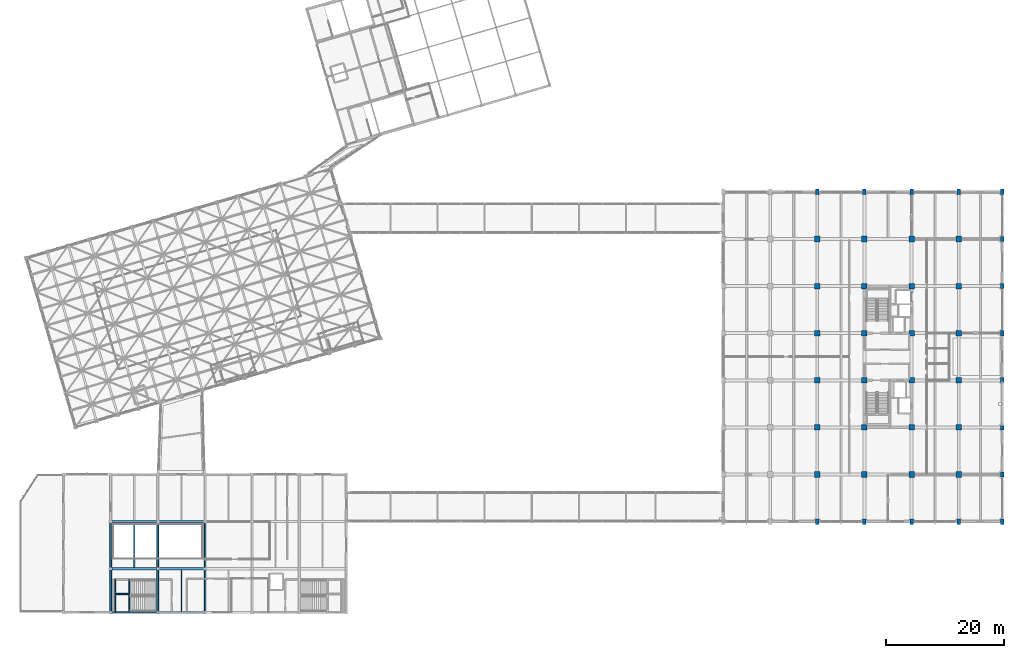
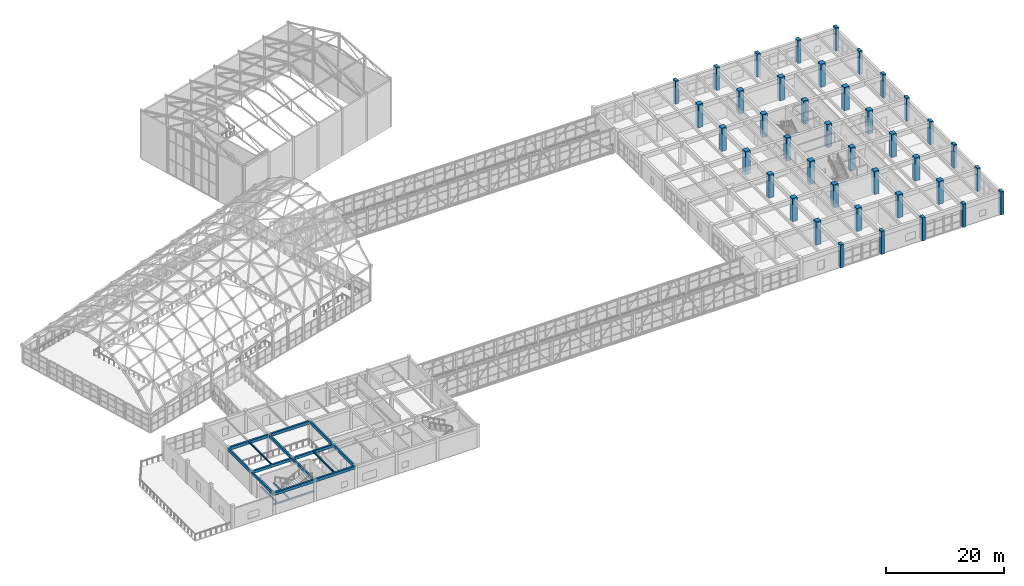
# One storey, part 16 of 248: 40 columns, 18 beams.
"""IFC4 building model written with IfcOpenShell, lengths in metres."""

import ifcopenshell
import ifcopenshell.guid

model = None  # the IFC model being written
_history = None  # IfcOwnerHistory: only IFC2X3 demands one
_inside = {}  # id of a spatial element -> (the spatial element, [elements in it])
_under = {}  # id of a project, library or spatial element -> (it, [spatial elements below it])
_declared = {}  # id of a project -> (the project, [libraries it declares])
_typed = {}  # id of a type object -> (the type object, [elements of that type])
_made_of = {}  # id of a material, layer set ... -> (it, [elements and type objects made of it])


def new_model(schema):
    """Start an empty IFC model of exactly this schema.

    Asked for "IFC4X3", IfcOpenShell would pick the latest addendum, in which some entities
    have other attributes; the version numbers below select the first issue.
    IFC2X3 requires an IfcOwnerHistory on every rooted entity: one is made here for all.
    """
    global model, _history
    if schema == "IFC4X3":
        model = ifcopenshell.file(schema_version=(4, 3, 0, 0))
    else:
        model = ifcopenshell.file(schema=schema)
    _inside.clear()
    _under.clear()
    _declared.clear()
    _typed.clear()
    _made_of.clear()
    _history = None
    if model.schema == "IFC2X3":
        org = make("IfcOrganization", Name="unknown")
        user = make(
            "IfcPersonAndOrganization",
            ThePerson=make("IfcPerson", FamilyName="unknown"),
            TheOrganization=org,
        )
        app = make(
            "IfcApplication",
            ApplicationDeveloper=org,
            Version="unknown",
            ApplicationFullName="unknown",
            ApplicationIdentifier="unknown",
        )
        _history = make(
            "IfcOwnerHistory",
            OwningUser=user,
            OwningApplication=app,
            ChangeAction="ADDED",
            CreationDate=0,
        )
    return model


def make(cls, **values):
    """One entity of the class cls with the attributes given. An attribute that is None is left unset."""
    return model.create_entity(
        cls, **{name: value for name, value in values.items() if value is not None}
    )


def rooted(cls, **values):
    """An entity with a GlobalId (a new one), such as an element, a storey or a relation."""
    return make(cls, GlobalId=ifcopenshell.guid.new(), OwnerHistory=_history, **values)


def si_unit(unit_type, name, prefix=None):
    """IfcSIUnit, for example si_unit("LENGTHUNIT", "METRE", prefix="MILLI")."""
    return make("IfcSIUnit", UnitType=unit_type, Prefix=prefix, Name=name)


def assignment(units):
    """IfcUnitAssignment: the units of a project."""
    return None if units is None else make("IfcUnitAssignment", Units=units)


def point(xyz):
    """IfcCartesianPoint."""
    return None if xyz is None else make("IfcCartesianPoint", Coordinates=xyz)


def direction(xyz):
    """IfcDirection."""
    return None if xyz is None else make("IfcDirection", DirectionRatios=xyz)


def frame(location, z_axis=None, x_axis=None):
    """IfcAxis2Placement3D, a coordinate frame: its origin and axes. An axis left out is left unset."""
    return make(
        "IfcAxis2Placement3D",
        Location=point(location),
        Axis=direction(z_axis),
        RefDirection=direction(x_axis),
    )


def frame_2d(location, x_axis=None):
    """IfcAxis2Placement2D, a coordinate frame in the plane: its origin and x axis."""
    return make(
        "IfcAxis2Placement2D", Location=point(location), RefDirection=direction(x_axis)
    )


def origin():
    """The frame at (0, 0, 0) with its axes left unset."""
    return frame((0.0, 0.0, 0.0))


def origin_2d():
    """The frame at (0, 0) in the plane with its x axis left unset."""
    return frame_2d((0.0, 0.0))


def place(relative_to, where):
    """IfcLocalPlacement: puts the frame where relative to a parent placement (None: the world)."""
    return make(
        "IfcLocalPlacement", PlacementRelTo=relative_to, RelativePlacement=where
    )


def context(
    kind, dimensions, precision=None, world=None, true_north=None, identifier=None
):
    """IfcGeometricRepresentationContext, for example the 3D "Model" context."""
    return make(
        "IfcGeometricRepresentationContext",
        ContextIdentifier=identifier,
        ContextType=kind,
        CoordinateSpaceDimension=dimensions,
        Precision=precision,
        WorldCoordinateSystem=world,
        TrueNorth=true_north,
    )


def subcontext(parent, identifier, kind, view, scale=None):
    """IfcGeometricRepresentationSubContext, for example "Body" below "Model"."""
    return make(
        "IfcGeometricRepresentationSubContext",
        ContextIdentifier=identifier,
        ContextType=kind,
        ParentContext=parent,
        TargetScale=scale,
        TargetView=view,
    )


def project(units=None, contexts=None):
    """IfcProject with its units and contexts."""
    return rooted(
        "IfcProject",
        Name="project",
        RepresentationContexts=contexts,
        UnitsInContext=assignment(units),
    )


def spatial(cls, under=None, at=None, **own):
    """A site, building, storey or space (cls), placed at a placement, below another one or the project."""
    s = rooted(cls, ObjectPlacement=at, **own)
    if under is not None:
        _under.setdefault(under.id(), (under, []))[1].append(s)
    return s


def profile(cls, at=None, kind="AREA", **sizes):
    """A parametric profile (cls). Its sizes go by their IFC names, for example OverallWidth=200.0."""
    return make(cls, ProfileType=kind, Position=at, **sizes)


def rectangle(**sizes):
    """IfcRectangleProfileDef."""
    return profile("IfcRectangleProfileDef", **sizes)


def i_section(**sizes):
    """IfcIShapeProfileDef."""
    return profile("IfcIShapeProfileDef", **sizes)


def extrude(swept, where, along, depth):
    """IfcExtrudedAreaSolid: the profile swept, set in the frame where, extruded along a direction by depth."""
    return make(
        "IfcExtrudedAreaSolid",
        SweptArea=swept,
        Position=where,
        ExtrudedDirection=direction(along),
        Depth=depth,
    )


def shape(context_of_items, identifier, shape_type, items):
    """IfcShapeRepresentation: the items that make up one representation, for example the "Body"."""
    return make(
        "IfcShapeRepresentation",
        ContextOfItems=context_of_items,
        RepresentationIdentifier=identifier,
        RepresentationType=shape_type,
        Items=items,
    )


def material(Name=None, Category=None):
    """IfcMaterial."""
    return make("IfcMaterial", Name=Name, Category=Category)


def material_profile(
    of_material, cross_section, Name=None, Category=None, Priority=None
):
    """IfcMaterialProfile: a cross section and its material."""
    return make(
        "IfcMaterialProfile",
        Name=Name,
        Material=of_material,
        Profile=cross_section,
        Priority=Priority,
        Category=Category,
    )


def profile_set(profiles, Name=None, composite=None):
    """IfcMaterialProfileSet."""
    return make(
        "IfcMaterialProfileSet",
        Name=Name,
        MaterialProfiles=profiles,
        CompositeProfile=composite,
    )


def made_of(thing, what):
    """Note that an element or type object is made of a material, layer set ...; save() writes the relation."""
    if what is not None:
        _made_of.setdefault(what.id(), (what, []))[1].append(thing)
    return thing


def type_object(cls, material=None, **own):
    """A type object (cls), such as IfcWallType, which elements share."""
    return made_of(rooted(cls, **own), material)


def element(
    cls,
    number,
    at=None,
    inside=None,
    cuts=None,
    type_object=None,
    material=None,
    context=None,
    identifier="Body",
    shape_type=None,
    held_by="IfcProductDefinitionShape",
    body=None,
    shapes=None,
    **own,
):
    """One element of the class cls, such as IfcWall. Its Tag is "e" and its number.

    at: its placement. inside: the storey or other place that contains it. cuts: it is an
    opening in that element (IfcRelVoidsElement). A single representation is given by context,
    identifier, shape_type and body (its items); several are given by shapes. held_by: the class
    of the entity that holds the representations. save() writes the other relations.
    """
    e = rooted(cls, Tag="e%d" % number, ObjectPlacement=at, **own)
    if body is not None:
        shapes = [shape(context, identifier, shape_type, body)]
    if shapes is not None:
        e.Representation = make(held_by, Representations=shapes)
    if inside is not None:
        _inside.setdefault(inside.id(), (inside, []))[1].append(e)
    if cuts is not None:
        rooted(
            "IfcRelVoidsElement", RelatingBuildingElement=cuts, RelatedOpeningElement=e
        )
    if type_object is not None:
        _typed.setdefault(type_object.id(), (type_object, []))[1].append(e)
    return made_of(e, material)


def aggregate(whole, parts):
    """IfcRelAggregates: a whole, such as a stair, and the parts it consists of."""
    return rooted("IfcRelAggregates", RelatingObject=whole, RelatedObjects=parts)


def save(model, path):
    """Write the relations noted so far, then the file.

    IfcRelAggregates (storeys below a building ...), IfcRelContainedInSpatialStructure (elements
    in a storey), IfcRelDefinesByType, IfcRelAssociatesMaterial and IfcRelDeclares: one each for
    every whole, place, type object, material and project.
    """
    for whole, parts in _under.values():
        aggregate(whole, parts)
    for where, things in _inside.values():
        rooted(
            "IfcRelContainedInSpatialStructure",
            RelatedElements=things,
            RelatingStructure=where,
        )
    for kind, things in _typed.values():
        rooted("IfcRelDefinesByType", RelatedObjects=things, RelatingType=kind)
    for what, things in _made_of.values():
        rooted("IfcRelAssociatesMaterial", RelatedObjects=things, RelatingMaterial=what)
    for by, libraries in _declared.values():
        rooted("IfcRelDeclares", RelatingContext=by, RelatedDefinitions=libraries)
    model.write(path)


model = new_model("IFC4")

# Units and contexts
model_context = context("Model", 3, precision=1e-05, world=origin(), true_north=direction((0.0, 1.0)))
body_context = subcontext(model_context, "Body", "Model", "MODEL_VIEW")
ifc_project = project(units=[si_unit("LENGTHUNIT", "METRE"), si_unit("AREAUNIT", "SQUARE_METRE"), si_unit("VOLUMEUNIT", "CUBIC_METRE"), si_unit("PLANEANGLEUNIT", "RADIAN"), si_unit("MASSUNIT", "GRAM", prefix="KILO")], contexts=[model_context])

# Site, building, storey
site_placement = place(None, origin())
site = spatial("IfcSite", under=ifc_project, at=site_placement, CompositionType="ELEMENT")
building_placement = place(site_placement, origin())
building = spatial("IfcBuilding", under=site, at=building_placement, Name="Canggui Botanical Conservatory", CompositionType="ELEMENT")
storey_placement = place(building_placement, frame((0.0, 0.0, 5.39990234375)))
storey = spatial("IfcBuildingStorey", under=building, at=storey_placement, Name="L02", CompositionType="ELEMENT", Elevation=5.39990234375)

# Columns
ifc_material_1 = material(Name="Concrete C50", Category="concrete")
ifc_material_profile_1 = material_profile(ifc_material_1, rectangle(XDim=0.949951171875, YDim=0.949951171875, at=origin_2d()), Name="RC 950x950")
ifc_profile_set_1 = profile_set([ifc_material_profile_1], Name="Concrete C50")
column_type_1 = type_object("IfcColumnType", Name="COL-KZ04", PredefinedType="COLUMN", material=ifc_profile_set_1)
for number, where, z_axis, x_axis, name in (
    (1, (146.0, 34.0, 0.0), (0.0, 0.0, 1.0), (1.0, 0.0, 0.0), "Tower RC Column L02 (146,34)"),
    (2, (146.0, 42.0, 0.0), (0.0, 0.0, 1.0), (1.0, 0.0, 0.0), "Tower RC Column L02 (146,42)"),
    (3, (146.0, 50.0, 0.0), (0.0, 0.0, 1.0), (1.0, 0.0, 0.0), "Tower RC Column L02 (146,50)"),
    (4, (146.0, 58.0, 0.0), (0.0, 0.0, 1.0), (1.0, 0.0, 0.0), "Tower RC Column L02 (146,58)"),
    (5, (146.0, 66.0, 0.0), (0.0, 0.0, 1.0), (1.0, 0.0, 0.0), "Tower RC Column L02 (146,66)"),
    (6, (146.0, 74.0, 0.0), (0.0, 0.0, 1.0), (1.0, 0.0, 0.0), "Tower RC Column L02 (146,74)"),
    (7, (154.0, 34.0, 0.0), (0.0, 0.0, 1.0), (1.0, 0.0, 0.0), "Tower RC Column L02 (154,34)"),
    (8, (154.0, 42.0, 0.0), (0.0, 0.0, 1.0), (1.0, 0.0, 0.0), "Tower RC Column L02 (154,42)"),
    (9, (154.0, 50.0, 0.0), (0.0, 0.0, 1.0), (1.0, 0.0, 0.0), "Tower RC Column L02 (154,50)"),
    (10, (154.0, 58.0, 0.0), (0.0, 0.0, 1.0), (1.0, 0.0, 0.0), "Tower RC Column L02 (154,58)"),
    (11, (154.0, 66.0, 0.0), (0.0, 0.0, 1.0), (1.0, 0.0, 0.0), "Tower RC Column L02 (154,66)"),
    (12, (154.0, 74.0, 0.0), (0.0, 0.0, 1.0), (1.0, 0.0, 0.0), "Tower RC Column L02 (154,74)"),
    (13, (162.0, 34.0, 0.0), (0.0, 0.0, 1.0), (1.0, 0.0, 0.0), "Tower RC Column L02 (162,34)"),
    (14, (162.0, 42.0, 0.0), (0.0, 0.0, 1.0), (1.0, 0.0, 0.0), "Tower RC Column L02 (162,42)"),
    (15, (162.0, 50.0, 0.0), (0.0, 0.0, 1.0), (1.0, 0.0, 0.0), "Tower RC Column L02 (162,50)"),
    (16, (162.0, 58.0, 0.0), (0.0, 0.0, 1.0), (1.0, 0.0, 0.0), "Tower RC Column L02 (162,58)"),
    (17, (162.0, 66.0, 0.0), (0.0, 0.0, 1.0), (1.0, 0.0, 0.0), "Tower RC Column L02 (162,66)"),
    (18, (162.0, 74.0, 0.0), (0.0, 0.0, 1.0), (1.0, 0.0, 0.0), "Tower RC Column L02 (162,74)"),
    (19, (170.0, 34.0, 0.0), (0.0, 0.0, 1.0), (1.0, 0.0, 0.0), "Tower RC Column L02 (170,34)"),
    (20, (170.0, 42.0, 0.0), (0.0, 0.0, 1.0), (1.0, 0.0, 0.0), "Tower RC Column L02 (170,42)"),
    (21, (170.0, 50.0, 0.0), (0.0, 0.0, 1.0), (1.0, 0.0, 0.0), "Tower RC Column L02 (170,50)"),
    (22, (170.0, 58.0, 0.0), (0.0, 0.0, 1.0), (1.0, 0.0, 0.0), "Tower RC Column L02 (170,58)"),
    (23, (170.0, 66.0, 0.0), (0.0, 0.0, 1.0), (1.0, 0.0, 0.0), "Tower RC Column L02 (170,66)"),
    (24, (170.0, 74.0, 0.0), (0.0, 0.0, 1.0), (1.0, 0.0, 0.0), "Tower RC Column L02 (170,74)"),
):
    element("IfcColumn", number, at=place(storey_placement, frame(where, z_axis=z_axis, x_axis=x_axis)), inside=storey, type_object=column_type_1, Name=name, PredefinedType="COLUMN", context=body_context, shape_type="SweptSolid", body=[
        extrude(rectangle(XDim=0.949951171875, YDim=0.949951171875, at=origin_2d()), origin(), (0.0, 0.0, 1.0), 4.800048828125),
    ])
ifc_material_profile_2 = material_profile(ifc_material_1, rectangle(XDim=0.60009765625, YDim=0.89990234375, at=origin_2d()), Name="RC 600x900")
ifc_profile_set_2 = profile_set([ifc_material_profile_2], Name="Concrete C50")
column_type_2 = type_object("IfcColumnType", Name="COL-KZ17", PredefinedType="COLUMN", material=ifc_profile_set_2)
for number, where, z_axis, x_axis, name in (
    (25, (146.0, 26.0, 0.0), (0.0, 0.0, 1.0), (1.0, 0.0, 0.0), "Tower RC Column L02 (146,26)"),
    (26, (146.0, 82.0, 0.0), (0.0, 0.0, 1.0), (1.0, 0.0, 0.0), "Tower RC Column L02 (146,82)"),
    (27, (154.0, 26.0, 0.0), (0.0, 0.0, 1.0), (1.0, 0.0, 0.0), "Tower RC Column L02 (154,26)"),
    (28, (154.0, 82.0, 0.0), (0.0, 0.0, 1.0), (1.0, 0.0, 0.0), "Tower RC Column L02 (154,82)"),
    (29, (162.0, 26.0, 0.0), (0.0, 0.0, 1.0), (1.0, 0.0, 0.0), "Tower RC Column L02 (162,26)"),
    (30, (162.0, 82.0, 0.0), (0.0, 0.0, 1.0), (1.0, 0.0, 0.0), "Tower RC Column L02 (162,82)"),
    (31, (170.0, 26.0, 0.0), (0.0, 0.0, 1.0), (1.0, 0.0, 0.0), "Tower RC Column L02 (170,26)"),
    (32, (170.0, 82.0, 0.0), (0.0, 0.0, 1.0), (1.0, 0.0, 0.0), "Tower RC Column L02 (170,82)"),
    (33, (177.39990234375, 26.0, 0.0), (0.0, 0.0, 1.0), (1.0, 0.0, 0.0), "Tower RC Column L02 (178,26)"),
    (34, (177.39990234375, 34.0, 0.0), (0.0, 0.0, 1.0), (1.0, 0.0, 0.0), "Tower RC Column L02 (178,34)"),
    (35, (177.39990234375, 42.0, 0.0), (0.0, 0.0, 1.0), (1.0, 0.0, 0.0), "Tower RC Column L02 (178,42)"),
    (36, (177.39990234375, 50.0, 0.0), (0.0, 0.0, 1.0), (1.0, 0.0, 0.0), "Tower RC Column L02 (178,50)"),
    (37, (177.39990234375, 58.0, 0.0), (0.0, 0.0, 1.0), (1.0, 0.0, 0.0), "Tower RC Column L02 (178,58)"),
    (38, (177.39990234375, 66.0, 0.0), (0.0, 0.0, 1.0), (1.0, 0.0, 0.0), "Tower RC Column L02 (178,66)"),
    (39, (177.39990234375, 74.0, 0.0), (0.0, 0.0, 1.0), (1.0, 0.0, 0.0), "Tower RC Column L02 (178,74)"),
    (40, (177.39990234375, 82.0, 0.0), (0.0, 0.0, 1.0), (1.0, 0.0, 0.0), "Tower RC Column L02 (178,82)"),
):
    element("IfcColumn", number, at=place(storey_placement, frame(where, z_axis=z_axis, x_axis=x_axis)), inside=storey, type_object=column_type_2, Name=name, PredefinedType="COLUMN", context=body_context, shape_type="SweptSolid", body=[
        extrude(rectangle(XDim=0.60009765625, YDim=0.89990234375, at=origin_2d()), origin(), (0.0, 0.0, 1.0), 4.800048828125),
    ])

# Beams
ifc_material_2 = material(Name="Steel Q355B", Category="steel")
ifc_material_profile_3 = material_profile(ifc_material_2, i_section(OverallWidth=0.175048828125, OverallDepth=0.35009765625, WebThickness=0.007080078125, FlangeThickness=0.010986328125, FilletRadius=0.013916015625, at=origin_2d()), Name="HN 350x175x7x11")
ifc_profile_set_3 = profile_set([ifc_material_profile_3], Name="Steel Q355B")
beam_type_1 = type_object("IfcBeamType", Name="BM-JST07", PredefinedType="JOIST", material=ifc_profile_set_3)
beam_1_placement = place(storey_placement, frame((30.0, 18.179931640625, 4.385009765625), z_axis=(0.0, 1.0, 0.0), x_axis=(-1.0, 0.0, 0.0)))
element("IfcBeam", 41, at=beam_1_placement, inside=storey, type_object=beam_type_1, Name="Visitor Composite Steel Joist L02-1-2", PredefinedType="JOIST", context=body_context, shape_type="SweptSolid", body=[
    extrude(i_section(OverallWidth=0.175048828125, OverallDepth=0.35009765625, WebThickness=0.007080078125, FlangeThickness=0.010986328125, FilletRadius=0.013916015625, at=origin_2d()), origin(), (0.0, 0.0, 1.0), 7.64013671875),
])
beam_2_placement = place(storey_placement, frame((38.0, 10.780029296875, 4.385009765625), z_axis=(0.0, 1.0, 0.0), x_axis=(-1.0, 0.0, 0.0)))
element("IfcBeam", 42, at=beam_2_placement, inside=storey, type_object=beam_type_1, Name="Visitor Composite Steel Joist L02-2-1", PredefinedType="JOIST", context=body_context, shape_type="SweptSolid", body=[
    extrude(i_section(OverallWidth=0.175048828125, OverallDepth=0.35009765625, WebThickness=0.007080078125, FlangeThickness=0.010986328125, FilletRadius=0.013916015625, at=origin_2d()), origin(), (0.0, 0.0, 1.0), 7.0400390625),
])
ifc_material_3 = material(Name="Concrete C35", Category="concrete")
ifc_material_profile_4 = material_profile(ifc_material_3, rectangle(XDim=0.35009765625, YDim=0.60009765625, at=origin_2d()), Name="RB 350x600")
ifc_profile_set_4 = profile_set([ifc_material_profile_4], Name="Concrete C35")
beam_type_2 = type_object("IfcBeamType", Name="BM-KL19", PredefinedType="BEAM", material=ifc_profile_set_4)
for number, where, z_axis, x_axis, name in (
    (43, (26.0, 10.60009765625, 4.260009765625), (1.0, 0.0, 0.0), (0.0, 1.0, 0.0), "Visitor Girder L02 Y10-1"),
    (44, (34.0, 10.60009765625, 4.260009765625), (1.0, 0.0, 0.0), (0.0, 1.0, 0.0), "Visitor Girder L02 Y10-2"),
    (45, (26.0, 18.0, 4.260009765625), (1.0, 0.0, 0.0), (0.0, 1.0, 0.0), "Visitor Girder L02 Y18-1"),
    (46, (34.0, 18.0, 4.260009765625), (1.0, 0.0, 0.0), (0.0, 1.0, 0.0), "Visitor Girder L02 Y18-2"),
    (47, (26.0, 26.0, 4.260009765625), (1.0, 0.0, 0.0), (0.0, 1.0, 0.0), "Visitor Girder L02 Y26-1"),
    (48, (34.0, 26.0, 4.260009765625), (1.0, 0.0, 0.0), (0.0, 1.0, 0.0), "Visitor Girder L02 Y26-2"),
):
    element("IfcBeam", number, at=place(storey_placement, frame(where, z_axis=z_axis, x_axis=x_axis)), inside=storey, type_object=beam_type_2, Name=name, PredefinedType="BEAM", context=body_context, shape_type="SweptSolid", body=[
        extrude(rectangle(XDim=0.35009765625, YDim=0.60009765625, at=origin_2d()), origin(), (0.0, 0.0, 1.0), 8.0),
    ])
ifc_material_profile_5 = material_profile(ifc_material_3, rectangle(XDim=0.300048828125, YDim=0.60009765625, at=origin_2d()), Name="RB 300x600")
ifc_profile_set_5 = profile_set([ifc_material_profile_5], Name="Concrete C35")
beam_type_3 = type_object("IfcBeamType", Name="BM-KL23", PredefinedType="BEAM", material=ifc_profile_set_5)
beam_3_placement = place(storey_placement, frame((26.0, 10.60009765625, 4.260009765625), z_axis=(0.0, 1.0, 0.0), x_axis=(-1.0, 0.0, 0.0)))
element("IfcBeam", 49, at=beam_3_placement, inside=storey, type_object=beam_type_3, Name="Visitor Girder L02 X26-1", PredefinedType="BEAM", context=body_context, shape_type="SweptSolid", body=[
    extrude(rectangle(XDim=0.300048828125, YDim=0.60009765625, at=origin_2d()), origin(), (0.0, 0.0, 1.0), 7.39990234375),
])
beam_4_placement = place(storey_placement, frame((26.0, 18.0, 4.260009765625), z_axis=(0.0, 1.0, 0.0), x_axis=(-1.0, 0.0, 0.0)))
element("IfcBeam", 50, at=beam_4_placement, inside=storey, type_object=beam_type_3, Name="Visitor Girder L02 X26-2", PredefinedType="BEAM", context=body_context, shape_type="SweptSolid", body=[
    extrude(rectangle(XDim=0.300048828125, YDim=0.60009765625, at=origin_2d()), origin(), (0.0, 0.0, 1.0), 8.0),
])
beam_5_placement = place(storey_placement, frame((34.0, 10.60009765625, 4.260009765625), z_axis=(0.0, 1.0, 0.0), x_axis=(-1.0, 0.0, 0.0)))
element("IfcBeam", 51, at=beam_5_placement, inside=storey, type_object=beam_type_3, Name="Visitor Girder L02 X34-1", PredefinedType="BEAM", context=body_context, shape_type="SweptSolid", body=[
    extrude(rectangle(XDim=0.300048828125, YDim=0.60009765625, at=origin_2d()), origin(), (0.0, 0.0, 1.0), 7.39990234375),
])
beam_6_placement = place(storey_placement, frame((34.0, 18.0, 4.260009765625), z_axis=(0.0, 1.0, 0.0), x_axis=(-1.0, 0.0, 0.0)))
element("IfcBeam", 52, at=beam_6_placement, inside=storey, type_object=beam_type_3, Name="Visitor Girder L02 X34-2", PredefinedType="BEAM", context=body_context, shape_type="SweptSolid", body=[
    extrude(rectangle(XDim=0.300048828125, YDim=0.60009765625, at=origin_2d()), origin(), (0.0, 0.0, 1.0), 8.0),
])
beam_7_placement = place(storey_placement, frame((42.0, 10.60009765625, 4.260009765625), z_axis=(0.0, 1.0, 0.0), x_axis=(-1.0, 0.0, 0.0)))
element("IfcBeam", 53, at=beam_7_placement, inside=storey, type_object=beam_type_3, Name="Visitor Girder L02 X42-1", PredefinedType="BEAM", context=body_context, shape_type="SweptSolid", body=[
    extrude(rectangle(XDim=0.300048828125, YDim=0.60009765625, at=origin_2d()), origin(), (0.0, 0.0, 1.0), 7.39990234375),
])
beam_8_placement = place(storey_placement, frame((42.0, 18.0, 4.260009765625), z_axis=(0.0, 1.0, 0.0), x_axis=(-1.0, 0.0, 0.0)))
element("IfcBeam", 54, at=beam_8_placement, inside=storey, type_object=beam_type_3, Name="Visitor Girder L02 X42-2", PredefinedType="BEAM", context=body_context, shape_type="SweptSolid", body=[
    extrude(rectangle(XDim=0.300048828125, YDim=0.60009765625, at=origin_2d()), origin(), (0.0, 0.0, 1.0), 8.0),
])
ifc_material_profile_6 = material_profile(ifc_material_3, rectangle(XDim=0.199951171875, YDim=0.320068359375, at=origin_2d()), Name="RB 200x320")
ifc_profile_set_6 = profile_set([ifc_material_profile_6], Name="Concrete C35")
beam_type_4 = type_object("IfcBeamType", Name="BM-LIN02", PredefinedType="LINTEL", material=ifc_profile_set_6)
beam_9_placement = place(storey_placement, frame((26.0, 10.60009765625, 2.080078125), z_axis=(1.0, 0.0, 0.0), x_axis=(0.0, 1.0, 0.0)))
element("IfcBeam", 55, at=beam_9_placement, inside=storey, type_object=beam_type_4, Name="ST-V2 Landing Header South L02", PredefinedType="LINTEL", context=body_context, shape_type="SweptSolid", body=[
    extrude(rectangle(XDim=0.199951171875, YDim=0.320068359375, at=origin_2d()), origin(), (0.0, 0.0, 1.0), 8.0),
])
for number, where, z_axis, x_axis, name in (
    (56, (26.800048828125, 10.60009765625, 2.080078125), (0.0, 1.0, 0.0), (-1.0, 0.0, 0.0), "ST-V2 Landing Trimmer 1 L02"),
    (57, (29.175537109375, 10.60009765625, 2.080078125), (0.0, 1.0, 0.0), (-1.0, 0.0, 0.0), "ST-V2 Landing Trimmer 2 L02"),
):
    element("IfcBeam", number, at=place(storey_placement, frame(where, z_axis=z_axis, x_axis=x_axis)), inside=storey, type_object=beam_type_4, Name=name, PredefinedType="LINTEL", context=body_context, shape_type="SweptSolid", body=[
        extrude(rectangle(XDim=0.199951171875, YDim=0.320068359375, at=origin_2d()), origin(), (0.0, 0.0, 1.0), 5.599853515625),
    ])
beam_10_placement = place(storey_placement, frame((26.800048828125, 13.699951171875, 2.080078125), z_axis=(1.0, 0.0, 0.0), x_axis=(0.0, 1.0, 0.0)))
element("IfcBeam", 58, at=beam_10_placement, inside=storey, type_object=beam_type_4, Name="ST-V2 Landing Cross Tie L02", PredefinedType="LINTEL", context=body_context, shape_type="SweptSolid", body=[
    extrude(rectangle(XDim=0.199951171875, YDim=0.320068359375, at=origin_2d()), origin(), (0.0, 0.0, 1.0), 2.37548828125),
])

save(model, "model.ifc")
